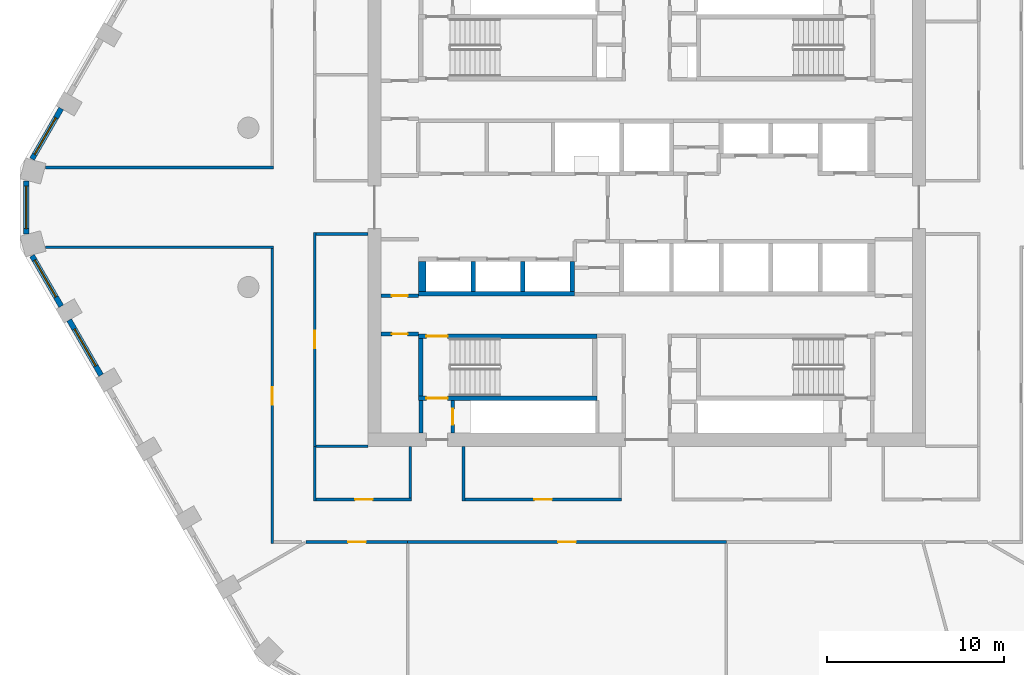
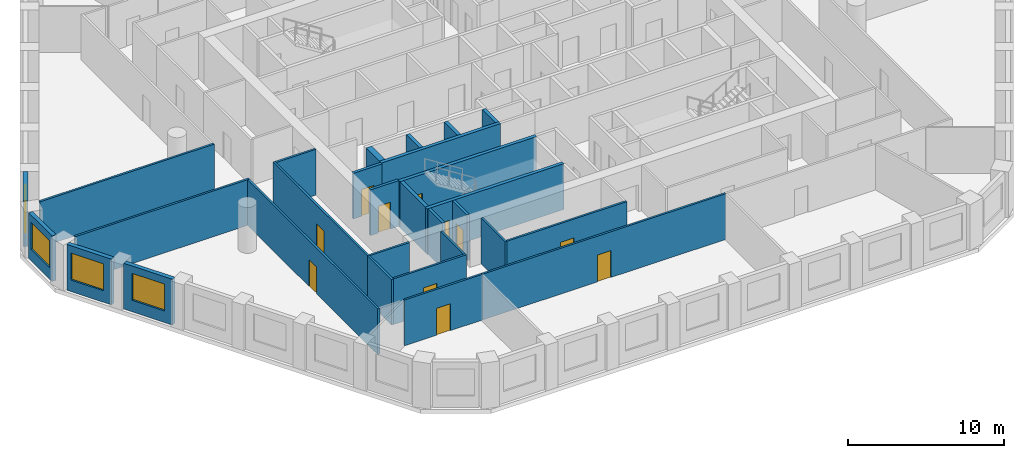
# One storey, part 2 of 10: 29 walls, 11 doors, 4 windows, 15 openings.
"""IFC4 building model written with IfcOpenShell, lengths in metres."""

from ifc_helpers import new_model, si_unit, direction, frame, frame_2d, origin, place, context, subcontext, project, spatial, polyline, rectangle, outline, extrude, material, layer, layer_set, type_object, element, fill, save


model = new_model("IFC4")

# Units and contexts
model_context = context("Model", 3, precision=1e-05, world=origin(), true_north=direction((0.0, 1.0)))
body_context = subcontext(model_context, "Body", "Model", "MODEL_VIEW")
ifc_project = project(units=[si_unit("LENGTHUNIT", "METRE"), si_unit("AREAUNIT", "SQUARE_METRE"), si_unit("VOLUMEUNIT", "CUBIC_METRE"), si_unit("PLANEANGLEUNIT", "RADIAN"), si_unit("MASSUNIT", "GRAM", prefix="KILO")], contexts=[model_context])

# Site, building, storey
site_placement = place(None, origin())
site = spatial("IfcSite", under=ifc_project, at=site_placement, CompositionType="ELEMENT")
building_placement = place(site_placement, origin())
building = spatial("IfcBuilding", under=site, at=building_placement, Name="Dhurran Vertical Campus", CompositionType="ELEMENT")
storey_placement = place(building_placement, frame((0.0, 0.0, 152.10009765625)))
storey = spatial("IfcBuildingStorey", under=building, at=storey_placement, Name="L37", CompositionType="ELEMENT", Elevation=152.10009765625)

# Wall, opening, window
ifc_material_1 = material(Name="Precast concrete C50/60", Category="concrete")
ifc_layer_1 = layer(ifc_material_1, 0.300048828125)
ifc_layer_set_1 = layer_set([ifc_layer_1], Name="Precast concrete C50/60")
wall_type_1 = type_object("IfcWallType", Name="Precast spandrel wall 300", PredefinedType="SOLIDWALL", material=ifc_layer_set_1)
wall_1_placement = place(storey_placement, frame((-33.0693359375, 5.58203125, 0.0), z_axis=(0.0, 0.0, 1.0), x_axis=(-0.499981217486, -0.866036247602, 0.0)))
wall_1 = element("IfcWall", 1, at=wall_1_placement, inside=storey, type_object=wall_type_1, Name="EW1 L37.37", PredefinedType="SOLIDWALL", context=body_context, shape_type="SweptSolid", body=[
    extrude(rectangle(XDim=3.294189453125, YDim=0.300048828125, at=frame_2d((1.64697265625, 0.0))), origin(), (0.0, 0.0, 1.0), 3.574951171875),
])
opening_1_placement = place(wall_1_placement, frame((0.599609375, 0.0, 0.89990234375)))
opening_1 = element("IfcOpeningElement", 2, at=opening_1_placement, cuts=wall_1, Name="Opening WT1", PredefinedType="OPENING", context=body_context, shape_type="SweptSolid", body=[
    extrude(rectangle(XDim=2.39990234375, YDim=2.10009765625, at=frame_2d((1.199951171875, 1.050048828125))), frame((0.0, 0.159912109375, 0.0), z_axis=(0.0, -1.0, 0.0), x_axis=(1.0, 0.0, 0.0)), (0.0, 0.0, 1.0), 0.320068359375),
])
ifc_material_2 = material(Name="Aluminium frame with solar-control glass", Category="aluminium")
window_type = type_object("IfcWindowType", Name="Punched window 2400 x 2100", PartitioningType="SINGLE_PANEL", PredefinedType="WINDOW", material=ifc_material_2)
window_1_placement = place(opening_1_placement, origin())
window_1 = element("IfcWindow", 3, at=window_1_placement, inside=storey, type_object=window_type, Name="WT1 L37.37", OverallHeight=2.10009765625, OverallWidth=2.39990234375, PartitioningType="SINGLE_PANEL", PredefinedType="WINDOW", context=body_context, shape_type="SweptSolid", body=[
    extrude(rectangle(XDim=2.39990234375, YDim=2.10009765625, at=frame_2d((1.199951171875, 1.050048828125))), frame((0.0, 0.030029296875, 0.0), z_axis=(0.0, -1.0, 0.0), x_axis=(1.0, 0.0, 0.0)), (0.0, 0.0, 1.0), 0.06005859375),
])
fill(opening_1, window_1)

wall_2_placement = place(storey_placement, frame((-35.047119140625, 1.49462890625, 0.0), z_axis=(0.0, 0.0, 1.0), x_axis=(0.0, -1.0, 0.0)))
wall_2 = element("IfcWall", 4, at=wall_2_placement, inside=storey, type_object=wall_type_1, Name="EW1 L37.38", PredefinedType="SOLIDWALL", context=body_context, shape_type="SweptSolid", body=[
    extrude(rectangle(XDim=2.9892578125, YDim=0.300048828125, at=frame_2d((1.49462890625, 0.0))), origin(), (0.0, 0.0, 1.0), 3.574951171875),
])
opening_2_placement = place(wall_2_placement, frame((0.294677734375, 0.0, 0.89990234375)))
opening_2 = element("IfcOpeningElement", 5, at=opening_2_placement, cuts=wall_2, Name="Opening WT1", PredefinedType="OPENING", context=body_context, shape_type="SweptSolid", body=[
    extrude(rectangle(XDim=2.39990234375, YDim=2.10009765625, at=frame_2d((1.199951171875, 1.050048828125))), frame((0.0, 0.159912109375, 0.0), z_axis=(0.0, -1.0, 0.0), x_axis=(1.0, 0.0, 0.0)), (0.0, 0.0, 1.0), 0.320068359375),
])
window_2_placement = place(opening_2_placement, origin())
window_2 = element("IfcWindow", 6, at=window_2_placement, inside=storey, type_object=window_type, Name="WT1 L37.38", OverallHeight=2.10009765625, OverallWidth=2.39990234375, PartitioningType="SINGLE_PANEL", PredefinedType="WINDOW", context=body_context, shape_type="SweptSolid", body=[
    extrude(rectangle(XDim=2.39990234375, YDim=2.10009765625, at=frame_2d((1.199951171875, 1.050048828125))), frame((0.0, 0.030029296875, 0.0), z_axis=(0.0, -1.0, 0.0), x_axis=(1.0, 0.0, 0.0)), (0.0, 0.0, 1.0), 0.06005859375),
])
fill(opening_2, window_2)

wall_3_placement = place(storey_placement, frame((-34.71630859375, -2.729248046875, 0.0), z_axis=(0.0, 0.0, 1.0), x_axis=(0.499981217486, -0.866036247602, 0.0)))
wall_3 = element("IfcWall", 7, at=wall_3_placement, inside=storey, type_object=wall_type_1, Name="EW1 L37.39", PredefinedType="SOLIDWALL", context=body_context, shape_type="SweptSolid", body=[
    extrude(rectangle(XDim=3.294189453125, YDim=0.300048828125, at=frame_2d((1.64697265625, 0.0))), origin(), (0.0, 0.0, 1.0), 3.574951171875),
])
opening_3_placement = place(wall_3_placement, frame((0.294677734375, 0.0, 0.89990234375)))
opening_3 = element("IfcOpeningElement", 8, at=opening_3_placement, cuts=wall_3, Name="Opening WT1", PredefinedType="OPENING", context=body_context, shape_type="SweptSolid", body=[
    extrude(rectangle(XDim=2.39990234375, YDim=2.10009765625, at=frame_2d((1.199951171875, 1.050048828125))), frame((0.0, 0.159912109375, 0.0), z_axis=(0.0, -1.0, 0.0), x_axis=(1.0, 0.0, 0.0)), (0.0, 0.0, 1.0), 0.320068359375),
])
window_3_placement = place(opening_3_placement, origin())
window_3 = element("IfcWindow", 9, at=window_3_placement, inside=storey, type_object=window_type, Name="WT1 L37.39", OverallHeight=2.10009765625, OverallWidth=2.39990234375, PartitioningType="SINGLE_PANEL", PredefinedType="WINDOW", context=body_context, shape_type="SweptSolid", body=[
    extrude(rectangle(XDim=2.39990234375, YDim=2.10009765625, at=frame_2d((1.199951171875, 1.050048828125))), frame((0.0, 0.030029296875, 0.0), z_axis=(0.0, -1.0, 0.0), x_axis=(1.0, 0.0, 0.0)), (0.0, 0.0, 1.0), 0.06005859375),
])
fill(opening_3, window_3)

wall_4_placement = place(storey_placement, frame((-32.618896484375, -6.3623046875, 0.0), z_axis=(0.0, 0.0, 1.0), x_axis=(0.500027802648, -0.866009351323, 0.0)))
wall_4 = element("IfcWall", 10, at=wall_4_placement, inside=storey, type_object=wall_type_1, Name="EW1 L37.40", PredefinedType="SOLIDWALL", context=body_context, shape_type="SweptSolid", body=[
    extrude(rectangle(XDim=3.598876953125, YDim=0.300048828125, at=frame_2d((1.79931640625, 0.0))), origin(), (0.0, 0.0, 1.0), 3.574951171875),
])
opening_4_placement = place(wall_4_placement, frame((0.599609375, 0.0, 0.89990234375)))
opening_4 = element("IfcOpeningElement", 11, at=opening_4_placement, cuts=wall_4, Name="Opening WT1", PredefinedType="OPENING", context=body_context, shape_type="SweptSolid", body=[
    extrude(rectangle(XDim=2.39990234375, YDim=2.10009765625, at=frame_2d((1.199951171875, 1.050048828125))), frame((0.0, 0.159912109375, 0.0), z_axis=(0.0, -1.0, 0.0), x_axis=(1.0, 0.0, 0.0)), (0.0, 0.0, 1.0), 0.320068359375),
])
window_4_placement = place(opening_4_placement, origin())
window_4 = element("IfcWindow", 12, at=window_4_placement, inside=storey, type_object=window_type, Name="WT1 L37.40", OverallHeight=2.10009765625, OverallWidth=2.39990234375, PartitioningType="SINGLE_PANEL", PredefinedType="WINDOW", context=body_context, shape_type="SweptSolid", body=[
    extrude(rectangle(XDim=2.39990234375, YDim=2.10009765625, at=frame_2d((1.199951171875, 1.050048828125))), frame((0.0, 0.030029296875, 0.0), z_axis=(0.0, -1.0, 0.0), x_axis=(1.0, 0.0, 0.0)), (0.0, 0.0, 1.0), 0.06005859375),
])
fill(opening_4, window_4)

# Wall
ifc_material_3 = material(Name="Fire-rated masonry blockwork", Category="masonry")
ifc_layer_2 = layer(ifc_material_3, 0.199951171875)
ifc_layer_set_2 = layer_set([ifc_layer_2], Name="Fire-rated masonry blockwork")
wall_type_2 = type_object("IfcWallType", Name="co-FIRE-PARTITION-200", PredefinedType="PARTITIONING", material=ifc_layer_set_2)
wall_5_placement = place(storey_placement, frame((-12.75, -12.75, 0.0), z_axis=(0.0, 0.0, 1.0), x_axis=(0.0, 1.0, 0.0)))
element("IfcWall", 13, at=wall_5_placement, inside=storey, type_object=wall_type_2, Name="Core partition pass-ST3-o L37", PredefinedType="PARTITIONING", context=body_context, shape_type="SweptSolid", body=[
    extrude(rectangle(XDim=1.85009765625, YDim=0.199951171875, at=frame_2d((0.925048828125, 0.0))), origin(), (0.0, 0.0, 1.0), 3.574951171875),
])

# Wall, opening, door
wall_6_placement = place(storey_placement, frame((-10.949951171875, -12.75, 0.0), z_axis=(0.0, 0.0, 1.0), x_axis=(0.0, 1.0, 0.0)))
wall_6 = element("IfcWall", 14, at=wall_6_placement, inside=storey, type_object=wall_type_2, Name="Core partition pass-ST3-i L37", PredefinedType="PARTITIONING", context=body_context, shape_type="SweptSolid", body=[
    extrude(rectangle(XDim=1.85009765625, YDim=0.199951171875, at=frame_2d((0.925048828125, 0.0))), origin(), (0.0, 0.0, 1.0), 3.574951171875),
])
opening_5_placement = place(wall_6_placement, frame((0.47509765625, 0.0, 0.0)))
opening_5 = element("IfcOpeningElement", 15, at=opening_5_placement, cuts=wall_6, Name="Opening T10-C13", PredefinedType="OPENING", context=body_context, shape_type="SweptSolid", body=[
    extrude(rectangle(XDim=0.89990234375, YDim=2.10009765625, at=frame_2d((0.449951171875, 1.050048828125))), frame((0.0, 0.10986328125, 0.0), z_axis=(0.0, -1.0, 0.0), x_axis=(1.0, 0.0, 0.0)), (0.0, 0.0, 1.0), 0.219970703125),
])
ifc_material_4 = material(Name="Fire-rated timber door set", Category="wood")
door_type_1 = type_object("IfcDoorType", Name="co-D-ROOM 900x2100", OperationType="SINGLE_SWING_LEFT", PredefinedType="DOOR", material=ifc_material_4)
door_1_placement = place(opening_5_placement, origin())
door_1 = element("IfcDoor", 16, at=door_1_placement, inside=storey, type_object=door_type_1, Name="Riser room door L37", OperationType="SINGLE_SWING_LEFT", OverallHeight=2.10009765625, OverallWidth=0.89990234375, PredefinedType="DOOR", context=body_context, shape_type="SweptSolid", body=[
    extrude(rectangle(XDim=0.89990234375, YDim=2.10009765625, at=frame_2d((0.449951171875, 1.050048828125))), frame((0.0, 0.02490234375, 0.0), z_axis=(0.0, -1.0, 0.0), x_axis=(1.0, 0.0, 0.0)), (0.0, 0.0, 1.0), 0.050048828125),
])
fill(opening_5, door_1)

wall_7_placement = place(storey_placement, frame((-15.0, -7.14990234375, 0.0), z_axis=(0.0, 0.0, 1.0), x_axis=(1.0, 0.0, 0.0)))
wall_7 = element("IfcWall", 17, at=wall_7_placement, inside=storey, type_object=wall_type_2, Name="Core partition en-SW-w L37", PredefinedType="PARTITIONING", context=body_context, shape_type="SweptSolid", body=[
    extrude(rectangle(XDim=2.10009765625, YDim=0.199951171875, at=frame_2d((1.050048828125, 0.0))), origin(), (0.0, 0.0, 1.0), 3.574951171875),
])
opening_6_placement = place(wall_7_placement, frame((0.60009765625, 0.0, 0.0)))
opening_6 = element("IfcOpeningElement", 18, at=opening_6_placement, cuts=wall_7, Name="Opening T10-C19", PredefinedType="OPENING", context=body_context, shape_type="SweptSolid", body=[
    extrude(rectangle(XDim=0.89990234375, YDim=2.10009765625, at=frame_2d((0.449951171875, 1.050048828125))), frame((0.0, 0.10986328125, 0.0), z_axis=(0.0, -1.0, 0.0), x_axis=(1.0, 0.0, 0.0)), (0.0, 0.0, 1.0), 0.219970703125),
])
door_2_placement = place(opening_6_placement, origin())
door_2 = element("IfcDoor", 19, at=door_2_placement, inside=storey, type_object=door_type_1, Name="Print room door L37", OperationType="SINGLE_SWING_LEFT", OverallHeight=2.10009765625, OverallWidth=0.89990234375, PredefinedType="DOOR", context=body_context, shape_type="SweptSolid", body=[
    extrude(rectangle(XDim=0.89990234375, YDim=2.10009765625, at=frame_2d((0.449951171875, 1.050048828125))), frame((0.0, 0.02490234375, 0.0), z_axis=(0.0, -1.0, 0.0), x_axis=(1.0, 0.0, 0.0)), (0.0, 0.0, 1.0), 0.050048828125),
])
fill(opening_6, door_2)

wall_8_placement = place(storey_placement, frame((-15.0, -5.0, 0.0), z_axis=(0.0, 0.0, 1.0), x_axis=(1.0, 0.0, 0.0)))
wall_8 = element("IfcWall", 20, at=wall_8_placement, inside=storey, type_object=wall_type_2, Name="Core partition es-SW-w L37", PredefinedType="PARTITIONING", context=body_context, shape_type="SweptSolid", body=[
    extrude(rectangle(XDim=2.10009765625, YDim=0.199951171875, at=frame_2d((1.050048828125, 0.0))), origin(), (0.0, 0.0, 1.0), 3.574951171875),
])
opening_7_placement = place(wall_8_placement, frame((0.60009765625, 0.0, 0.0)))
opening_7 = element("IfcOpeningElement", 21, at=opening_7_placement, cuts=wall_8, Name="Opening T10-C20", PredefinedType="OPENING", context=body_context, shape_type="SweptSolid", body=[
    extrude(rectangle(XDim=0.89990234375, YDim=2.10009765625, at=frame_2d((0.449951171875, 1.050048828125))), frame((0.0, 0.10986328125, 0.0), z_axis=(0.0, -1.0, 0.0), x_axis=(1.0, 0.0, 0.0)), (0.0, 0.0, 1.0), 0.219970703125),
])
door_3_placement = place(opening_7_placement, origin())
door_3 = element("IfcDoor", 22, at=door_3_placement, inside=storey, type_object=door_type_1, Name="Pantry door L37", OperationType="SINGLE_SWING_LEFT", OverallHeight=2.10009765625, OverallWidth=0.89990234375, PredefinedType="DOOR", context=body_context, shape_type="SweptSolid", body=[
    extrude(rectangle(XDim=0.89990234375, YDim=2.10009765625, at=frame_2d((0.449951171875, 1.050048828125))), frame((0.0, 0.02490234375, 0.0), z_axis=(0.0, -1.0, 0.0), x_axis=(1.0, 0.0, 0.0)), (0.0, 0.0, 1.0), 0.050048828125),
])
fill(opening_7, door_3)

# Walls
ifc_material_5 = material(Name="Concrete C50/60", Category="concrete")
ifc_layer_3 = layer(ifc_material_5, 0.25)
ifc_layer_set_3 = layer_set([ifc_layer_3], Name="Concrete C50/60")
wall_type_3 = type_object("IfcWallType", Name="co-SHAFT-MASS-250", PredefinedType="SHEAR", material=ifc_layer_set_3)
wall_9_placement = place(storey_placement, origin())
element("IfcWall", 23, at=wall_9_placement, inside=storey, type_object=wall_type_3, Name="Lift shaft wall S L37 1", PredefinedType="SHEAR", context=body_context, shape_type="SweptSolid", body=[
    extrude(outline(polyline([(-12.89990234375, -5.0), (-4.074951171875, -5.0), (-4.074951171875, -4.75), (-12.89990234375, -4.75), (-12.89990234375, -5.0)])), origin(), (0.0, 0.0, 1.0), 3.574951171875),
])
wall_10_placement = place(storey_placement, origin())
element("IfcWall", 24, at=wall_10_placement, inside=storey, type_object=wall_type_3, Name="Lift shaft wall S L37 3", PredefinedType="SHEAR", context=body_context, shape_type="SweptSolid", body=[
    extrude(outline(polyline([(-12.89990234375, -4.75), (-12.47509765625, -4.75), (-12.47509765625, -3.050048828125), (-12.89990234375, -3.050048828125), (-12.89990234375, -4.75)])), origin(), (0.0, 0.0, 1.0), 3.574951171875),
])
wall_11_placement = place(storey_placement, origin())
element("IfcWall", 25, at=wall_11_placement, inside=storey, type_object=wall_type_3, Name="Lift shaft wall S L37 4", PredefinedType="SHEAR", context=body_context, shape_type="SweptSolid", body=[
    extrude(outline(polyline([(-9.925048828125, -4.75), (-9.675048828125, -4.75), (-9.675048828125, -3.050048828125), (-9.925048828125, -3.050048828125), (-9.925048828125, -4.75)])), origin(), (0.0, 0.0, 1.0), 3.574951171875),
])
wall_12_placement = place(storey_placement, origin())
element("IfcWall", 26, at=wall_12_placement, inside=storey, type_object=wall_type_3, Name="Lift shaft wall S L37 5", PredefinedType="SHEAR", context=body_context, shape_type="SweptSolid", body=[
    extrude(outline(polyline([(-7.125, -4.75), (-6.875, -4.75), (-6.875, -3.050048828125), (-7.125, -3.050048828125), (-7.125, -4.75)])), origin(), (0.0, 0.0, 1.0), 3.574951171875),
])
wall_13_placement = place(storey_placement, origin())
element("IfcWall", 27, at=wall_13_placement, inside=storey, type_object=wall_type_3, Name="Lift shaft wall S L37 6", PredefinedType="SHEAR", context=body_context, shape_type="SweptSolid", body=[
    extrude(outline(polyline([(-4.324951171875, -4.75), (-4.074951171875, -4.75), (-4.074951171875, -3.050048828125), (-4.324951171875, -3.050048828125), (-4.324951171875, -4.75)])), origin(), (0.0, 0.0, 1.0), 3.574951171875),
])

# Wall, opening, door
ifc_material_6 = material(Name="Concrete C40/50", Category="concrete")
ifc_layer_4 = layer(ifc_material_6, 0.25)
ifc_layer_set_4 = layer_set([ifc_layer_4], Name="Concrete C40/50")
wall_type_4 = type_object("IfcWallType", Name="co-STAIR-WALL-250", PredefinedType="SHEAR", material=ifc_layer_set_4)
wall_14_placement = place(storey_placement, frame((-12.89990234375, -10.77490234375, 0.0), z_axis=(0.0, 0.0, 1.0), x_axis=(1.0, 0.0, 0.0)))
wall_14 = element("IfcWall", 28, at=wall_14_placement, inside=storey, type_object=wall_type_4, Name="Stair ST3 enclosure wall L37", PredefinedType="SHEAR", context=body_context, shape_type="SweptSolid", body=[
    extrude(rectangle(XDim=10.099853515625, YDim=0.25, at=frame_2d((5.0498046875, 0.0))), origin(), (0.0, 0.0, 1.0), 3.574951171875),
])
opening_8_placement = place(wall_14_placement, frame((0.449951171875, 0.0, 0.0)))
opening_8 = element("IfcOpeningElement", 29, at=opening_8_placement, cuts=wall_14, Name="Opening XS3", PredefinedType="OPENING", context=body_context, shape_type="SweptSolid", body=[
    extrude(rectangle(XDim=1.199951171875, YDim=2.10009765625, at=frame_2d((0.60009765625, 1.050048828125))), frame((0.0, 0.135009765625, 0.0), z_axis=(0.0, -1.0, 0.0), x_axis=(1.0, 0.0, 0.0)), (0.0, 0.0, 1.0), 0.27001953125),
])
ifc_material_7 = material(Name="Fire-rated steel door set", Category="steel")
door_type_2 = type_object("IfcDoorType", Name="co-D-STAIR-EXIT 1200x2100", OperationType="SINGLE_SWING_RIGHT", PredefinedType="DOOR", material=ifc_material_7)
door_4_placement = place(opening_8_placement, origin())
door_4 = element("IfcDoor", 30, at=door_4_placement, inside=storey, type_object=door_type_2, Name="Stair ST3 discharge door L37", OperationType="SINGLE_SWING_RIGHT", OverallHeight=2.10009765625, OverallWidth=1.199951171875, PredefinedType="DOOR", context=body_context, shape_type="SweptSolid", body=[
    extrude(rectangle(XDim=1.199951171875, YDim=2.10009765625, at=frame_2d((0.60009765625, 1.050048828125))), frame((0.0, 0.02490234375, 0.0), z_axis=(0.0, -1.0, 0.0), x_axis=(1.0, 0.0, 0.0)), (0.0, 0.0, 1.0), 0.050048828125),
])
fill(opening_8, door_4)

wall_15_placement = place(storey_placement, frame((-12.89990234375, -7.27490234375, 0.0), z_axis=(0.0, 0.0, 1.0), x_axis=(1.0, 0.0, 0.0)))
wall_15 = element("IfcWall", 31, at=wall_15_placement, inside=storey, type_object=wall_type_4, Name="Stair ST3 enclosure wall L37", PredefinedType="SHEAR", context=body_context, shape_type="SweptSolid", body=[
    extrude(rectangle(XDim=10.099853515625, YDim=0.25, at=frame_2d((5.0498046875, 0.0))), origin(), (0.0, 0.0, 1.0), 3.574951171875),
])
opening_9_placement = place(wall_15_placement, frame((0.449951171875, 0.0, 0.0)))
opening_9 = element("IfcOpeningElement", 32, at=opening_9_placement, cuts=wall_15, Name="Opening SD3", PredefinedType="OPENING", context=body_context, shape_type="SweptSolid", body=[
    extrude(rectangle(XDim=1.199951171875, YDim=2.10009765625, at=frame_2d((0.60009765625, 1.050048828125))), frame((0.0, 0.135009765625, 0.0), z_axis=(0.0, -1.0, 0.0), x_axis=(1.0, 0.0, 0.0)), (0.0, 0.0, 1.0), 0.27001953125),
])
ifc_material_8 = material(Name="Fire-rated steel door set", Category="steel")
door_type_3 = type_object("IfcDoorType", Name="co-D-STAIR 1200x2100", OperationType="SINGLE_SWING_LEFT", PredefinedType="DOOR", material=ifc_material_8)
door_5_placement = place(opening_9_placement, origin())
door_5 = element("IfcDoor", 33, at=door_5_placement, inside=storey, type_object=door_type_3, Name="Stair ST3 door L37", OperationType="SINGLE_SWING_LEFT", OverallHeight=2.10009765625, OverallWidth=1.199951171875, PredefinedType="DOOR", context=body_context, shape_type="SweptSolid", body=[
    extrude(rectangle(XDim=1.199951171875, YDim=2.10009765625, at=frame_2d((0.60009765625, 1.050048828125))), frame((0.0, 0.02490234375, 0.0), z_axis=(0.0, -1.0, 0.0), x_axis=(1.0, 0.0, 0.0)), (0.0, 0.0, 1.0), 0.050048828125),
])
fill(opening_9, door_5)

# Walls
wall_16_placement = place(storey_placement, frame((-12.77490234375, -10.64990234375, 0.0), z_axis=(0.0, 0.0, 1.0), x_axis=(0.0, 1.0, 0.0)))
element("IfcWall", 34, at=wall_16_placement, inside=storey, type_object=wall_type_4, Name="Stair ST3 enclosure wall L37", PredefinedType="SHEAR", context=body_context, shape_type="SweptSolid", body=[
    extrude(rectangle(XDim=3.25, YDim=0.25, at=frame_2d((1.625, 0.0))), origin(), (0.0, 0.0, 1.0), 3.574951171875),
])
ifc_material_9 = material(Name="Gypsum board corridor wall on steel studs", Category="steel")
ifc_layer_5 = layer(ifc_material_9, 0.14990234375)
ifc_layer_set_5 = layer_set([ifc_layer_5], Name="Gypsum board corridor wall on steel studs")
wall_type_5 = type_object("IfcWallType", Name="fl-CW-150 corridor wall", PredefinedType="PARTITIONING", material=ifc_layer_set_5)
for number, where, z_axis, x_axis, name in (
    (35, (-21.074951171875, -2.25, 0.0), (0.0, 0.0, 1.0), (-1.0, 0.0, 0.0), "Partition 37-01"),
    (36, (-33.9677734375, 2.25, 0.0), (0.0, 0.0, 1.0), (1.0, 0.0, 0.0), "Partition 37-02"),
):
    element("IfcWall", number, at=place(storey_placement, frame(where, z_axis=z_axis, x_axis=x_axis)), inside=storey, type_object=wall_type_5, Name=name, PredefinedType="PARTITIONING", context=body_context, shape_type="SweptSolid", body=[
        extrude(rectangle(XDim=12.892822265625, YDim=0.14990234375, at=frame_2d((6.4462890625, 0.0))), origin(), (0.0, 0.0, 1.0), 3.574951171875),
    ])

# Wall, opening, door
wall_17_placement = place(storey_placement, frame((-21.14990234375, -2.324951171875, 0.0), z_axis=(0.0, 0.0, 1.0), x_axis=(0.0, -1.0, 0.0)))
wall_17 = element("IfcWall", 37, at=wall_17_placement, inside=storey, type_object=wall_type_5, Name="Partition 37-05", PredefinedType="PARTITIONING", context=body_context, shape_type="SweptSolid", body=[
    extrude(rectangle(XDim=16.650146484375, YDim=0.14990234375, at=frame_2d((8.3251953125, 0.0))), origin(), (0.0, 0.0, 1.0), 3.574951171875),
])
opening_10_placement = place(wall_17_placement, frame((7.824951171875, 0.0, 0.0)))
opening_10 = element("IfcOpeningElement", 38, at=opening_10_placement, cuts=wall_17, Name="Opening T10.01", PredefinedType="OPENING", context=body_context, shape_type="SweptSolid", body=[
    extrude(rectangle(XDim=1.0, YDim=2.10009765625, at=frame_2d((0.5, 1.050048828125))), frame((0.0, 0.0849609375, 0.0), z_axis=(0.0, -1.0, 0.0), x_axis=(1.0, 0.0, 0.0)), (0.0, 0.0, 1.0), 0.169921875),
])
ifc_material_10 = material(Name="Solid-core timber door set, fire-rated", Category="wood")
door_type_4 = type_object("IfcDoorType", Name="fl-D-1000x2100", OperationType="SINGLE_SWING_LEFT", PredefinedType="DOOR", material=ifc_material_10)
door_6_placement = place(opening_10_placement, origin())
door_6 = element("IfcDoor", 39, at=door_6_placement, inside=storey, type_object=door_type_4, Name="Door 37.01", OperationType="SINGLE_SWING_RIGHT", OverallHeight=2.10009765625, OverallWidth=1.0, PredefinedType="DOOR", context=body_context, shape_type="SweptSolid", body=[
    extrude(rectangle(XDim=1.0, YDim=2.10009765625, at=frame_2d((0.5, 1.050048828125))), frame((0.0, 0.02490234375, 0.0), z_axis=(0.0, -1.0, 0.0), x_axis=(1.0, 0.0, 0.0)), (0.0, 0.0, 1.0), 0.050048828125),
])
fill(opening_10, door_6)

wall_18_placement = place(storey_placement, frame((-19.236083984375, -18.89990234375, 0.0), z_axis=(0.0, 0.0, 1.0), x_axis=(1.0, 0.0, 0.0)))
wall_18 = element("IfcWall", 40, at=wall_18_placement, inside=storey, type_object=wall_type_5, Name="Partition 37-09", PredefinedType="PARTITIONING", context=body_context, shape_type="SweptSolid", body=[
    extrude(rectangle(XDim=5.736083984375, YDim=0.14990234375, at=frame_2d((2.8681640625, 0.0))), origin(), (0.0, 0.0, 1.0), 3.574951171875),
])
opening_11_placement = place(wall_18_placement, frame((2.367919921875, 0.0, 0.0)))
opening_11 = element("IfcOpeningElement", 41, at=opening_11_placement, cuts=wall_18, Name="Opening T10.04", PredefinedType="OPENING", context=body_context, shape_type="SweptSolid", body=[
    extrude(rectangle(XDim=1.0, YDim=2.10009765625, at=frame_2d((0.5, 1.050048828125))), frame((0.0, 0.0849609375, 0.0), z_axis=(0.0, -1.0, 0.0), x_axis=(1.0, 0.0, 0.0)), (0.0, 0.0, 1.0), 0.169921875),
])
door_7_placement = place(opening_11_placement, origin())
door_7 = element("IfcDoor", 42, at=door_7_placement, inside=storey, type_object=door_type_4, Name="Door 37.04", OperationType="SINGLE_SWING_RIGHT", OverallHeight=2.10009765625, OverallWidth=1.0, PredefinedType="DOOR", context=body_context, shape_type="SweptSolid", body=[
    extrude(rectangle(XDim=1.0, YDim=2.10009765625, at=frame_2d((0.5, 1.050048828125))), frame((0.0, 0.02490234375, 0.0), z_axis=(0.0, -1.0, 0.0), x_axis=(1.0, 0.0, 0.0)), (0.0, 0.0, 1.0), 0.050048828125),
])
fill(opening_11, door_7)

# Wall
wall_19_placement = place(storey_placement, frame((-18.75, -16.574951171875, 0.0), z_axis=(0.0, 0.0, 1.0), x_axis=(0.0, 1.0, 0.0)))
element("IfcWall", 43, at=wall_19_placement, inside=storey, type_object=wall_type_5, Name="Partition 37-11", PredefinedType="PARTITIONING", context=body_context, shape_type="SweptSolid", body=[
    extrude(rectangle(XDim=3.074951171875, YDim=0.14990234375, at=frame_2d((1.53759765625, 0.0))), origin(), (0.0, 0.0, 1.0), 3.574951171875),
])

# Wall, opening, door
wall_20_placement = place(storey_placement, frame((-13.27490234375, -16.5, 0.0), z_axis=(0.0, 0.0, 1.0), x_axis=(-1.0, 0.0, 0.0)))
wall_20 = element("IfcWall", 44, at=wall_20_placement, inside=storey, type_object=wall_type_5, Name="Partition 37-12", PredefinedType="PARTITIONING", context=body_context, shape_type="SweptSolid", body=[
    extrude(rectangle(XDim=5.400146484375, YDim=0.14990234375, at=frame_2d((2.7001953125, 0.0))), origin(), (0.0, 0.0, 1.0), 3.574951171875),
])
opening_12_placement = place(wall_20_placement, frame((2.199951171875, 0.0, 0.0)))
opening_12 = element("IfcOpeningElement", 45, at=opening_12_placement, cuts=wall_20, Name="Opening T10.08", PredefinedType="OPENING", context=body_context, shape_type="SweptSolid", body=[
    extrude(rectangle(XDim=1.0, YDim=2.10009765625, at=frame_2d((0.5, 1.050048828125))), frame((0.0, 0.0849609375, 0.0), z_axis=(0.0, -1.0, 0.0), x_axis=(1.0, 0.0, 0.0)), (0.0, 0.0, 1.0), 0.169921875),
])
door_8_placement = place(opening_12_placement, origin())
door_8 = element("IfcDoor", 46, at=door_8_placement, inside=storey, type_object=door_type_4, Name="Door 37.08", OperationType="SINGLE_SWING_RIGHT", OverallHeight=2.10009765625, OverallWidth=1.0, PredefinedType="DOOR", context=body_context, shape_type="SweptSolid", body=[
    extrude(rectangle(XDim=1.0, YDim=2.10009765625, at=frame_2d((0.5, 1.050048828125))), frame((0.0, 0.02490234375, 0.0), z_axis=(0.0, -1.0, 0.0), x_axis=(1.0, 0.0, 0.0)), (0.0, 0.0, 1.0), 0.050048828125),
])
fill(opening_12, door_8)

wall_21_placement = place(storey_placement, frame((-18.75, -13.5, 0.0), z_axis=(0.0, 0.0, 1.0), x_axis=(0.0, 1.0, 0.0)))
wall_21 = element("IfcWall", 47, at=wall_21_placement, inside=storey, type_object=wall_type_5, Name="Partition 37-13", PredefinedType="PARTITIONING", context=body_context, shape_type="SweptSolid", body=[
    extrude(rectangle(XDim=12.074951171875, YDim=0.14990234375, at=frame_2d((6.03759765625, 0.0))), origin(), (0.0, 0.0, 1.0), 3.574951171875),
])
opening_13_placement = place(wall_21_placement, frame((5.53759765625, 0.0, 0.0)))
opening_13 = element("IfcOpeningElement", 48, at=opening_13_placement, cuts=wall_21, Name="Opening T10.05", PredefinedType="OPENING", context=body_context, shape_type="SweptSolid", body=[
    extrude(rectangle(XDim=1.0, YDim=2.10009765625, at=frame_2d((0.5, 1.050048828125))), frame((0.0, 0.0849609375, 0.0), z_axis=(0.0, -1.0, 0.0), x_axis=(1.0, 0.0, 0.0)), (0.0, 0.0, 1.0), 0.169921875),
])
door_9_placement = place(opening_13_placement, origin())
door_9 = element("IfcDoor", 49, at=door_9_placement, inside=storey, type_object=door_type_4, Name="Door 37.05", OperationType="SINGLE_SWING_LEFT", OverallHeight=2.10009765625, OverallWidth=1.0, PredefinedType="DOOR", context=body_context, shape_type="SweptSolid", body=[
    extrude(rectangle(XDim=1.0, YDim=2.10009765625, at=frame_2d((0.5, 1.050048828125))), frame((0.0, 0.02490234375, 0.0), z_axis=(0.0, -1.0, 0.0), x_axis=(1.0, 0.0, 0.0)), (0.0, 0.0, 1.0), 0.050048828125),
])
fill(opening_13, door_9)

# Wall
wall_22_placement = place(storey_placement, frame((-18.675048828125, -1.5, 0.0), z_axis=(0.0, 0.0, 1.0), x_axis=(1.0, 0.0, 0.0)))
element("IfcWall", 50, at=wall_22_placement, inside=storey, type_object=wall_type_5, Name="Partition 37-15", PredefinedType="PARTITIONING", context=body_context, shape_type="SweptSolid", body=[
    extrude(rectangle(XDim=2.925048828125, YDim=0.14990234375, at=frame_2d((1.46240234375, 0.0))), origin(), (0.0, 0.0, 1.0), 3.574951171875),
])

# Wall, opening, door
wall_23_placement = place(storey_placement, frame((-13.5, -18.89990234375, 0.0), z_axis=(0.0, 0.0, 1.0), x_axis=(1.0, 0.0, 0.0)))
wall_23 = element("IfcWall", 51, at=wall_23_placement, inside=storey, type_object=wall_type_5, Name="Partition 37-26", PredefinedType="PARTITIONING", context=body_context, shape_type="SweptSolid", body=[
    extrude(rectangle(XDim=18.0, YDim=0.14990234375, at=frame_2d((9.0, 0.0))), origin(), (0.0, 0.0, 1.0), 3.574951171875),
])
opening_14_placement = place(wall_23_placement, frame((8.5, 0.0, 0.0)))
opening_14 = element("IfcOpeningElement", 52, at=opening_14_placement, cuts=wall_23, Name="Opening T10.13", PredefinedType="OPENING", context=body_context, shape_type="SweptSolid", body=[
    extrude(rectangle(XDim=1.0, YDim=2.10009765625, at=frame_2d((0.5, 1.050048828125))), frame((0.0, 0.0849609375, 0.0), z_axis=(0.0, -1.0, 0.0), x_axis=(1.0, 0.0, 0.0)), (0.0, 0.0, 1.0), 0.169921875),
])
door_10_placement = place(opening_14_placement, origin())
door_10 = element("IfcDoor", 53, at=door_10_placement, inside=storey, type_object=door_type_4, Name="Door 37.13", OperationType="SINGLE_SWING_RIGHT", OverallHeight=2.10009765625, OverallWidth=1.0, PredefinedType="DOOR", context=body_context, shape_type="SweptSolid", body=[
    extrude(rectangle(XDim=1.0, YDim=2.10009765625, at=frame_2d((0.5, 1.050048828125))), frame((0.0, 0.02490234375, 0.0), z_axis=(0.0, -1.0, 0.0), x_axis=(1.0, 0.0, 0.0)), (0.0, 0.0, 1.0), 0.050048828125),
])
fill(opening_14, door_10)

# Walls
wall_24_placement = place(storey_placement, frame((-13.35009765625, -13.5, 0.0), z_axis=(0.0, 0.0, 1.0), x_axis=(0.0, -1.0, 0.0)))
element("IfcWall", 54, at=wall_24_placement, inside=storey, type_object=wall_type_5, Name="Partition 37-27", PredefinedType="PARTITIONING", context=body_context, shape_type="SweptSolid", body=[
    extrude(rectangle(XDim=2.925048828125, YDim=0.14990234375, at=frame_2d((1.46240234375, 0.0))), origin(), (0.0, 0.0, 1.0), 3.574951171875),
])
wall_25_placement = place(storey_placement, frame((-10.35009765625, -16.574951171875, 0.0), z_axis=(0.0, 0.0, 1.0), x_axis=(0.0, 1.0, 0.0)))
element("IfcWall", 55, at=wall_25_placement, inside=storey, type_object=wall_type_5, Name="Partition 37-29", PredefinedType="PARTITIONING", context=body_context, shape_type="SweptSolid", body=[
    extrude(rectangle(XDim=3.074951171875, YDim=0.14990234375, at=frame_2d((1.53759765625, 0.0))), origin(), (0.0, 0.0, 1.0), 3.574951171875),
])

# Wall, opening, door
wall_26_placement = place(storey_placement, frame((-1.425048828125, -16.5, 0.0), z_axis=(0.0, 0.0, 1.0), x_axis=(-1.0, 0.0, 0.0)))
wall_26 = element("IfcWall", 56, at=wall_26_placement, inside=storey, type_object=wall_type_5, Name="Partition 37-30", PredefinedType="PARTITIONING", context=body_context, shape_type="SweptSolid", body=[
    extrude(rectangle(XDim=8.849853515625, YDim=0.14990234375, at=frame_2d((4.4248046875, 0.0))), origin(), (0.0, 0.0, 1.0), 3.574951171875),
])
opening_15_placement = place(wall_26_placement, frame((3.925048828125, 0.0, 0.0)))
opening_15 = element("IfcOpeningElement", 57, at=opening_15_placement, cuts=wall_26, Name="Opening T10.11", PredefinedType="OPENING", context=body_context, shape_type="SweptSolid", body=[
    extrude(rectangle(XDim=1.0, YDim=2.10009765625, at=frame_2d((0.5, 1.050048828125))), frame((0.0, 0.0849609375, 0.0), z_axis=(0.0, -1.0, 0.0), x_axis=(1.0, 0.0, 0.0)), (0.0, 0.0, 1.0), 0.169921875),
])
door_11_placement = place(opening_15_placement, origin())
door_11 = element("IfcDoor", 58, at=door_11_placement, inside=storey, type_object=door_type_4, Name="Door 37.11", OperationType="SINGLE_SWING_RIGHT", OverallHeight=2.10009765625, OverallWidth=1.0, PredefinedType="DOOR", context=body_context, shape_type="SweptSolid", body=[
    extrude(rectangle(XDim=1.0, YDim=2.10009765625, at=frame_2d((0.5, 1.050048828125))), frame((0.0, 0.02490234375, 0.0), z_axis=(0.0, -1.0, 0.0), x_axis=(1.0, 0.0, 0.0)), (0.0, 0.0, 1.0), 0.050048828125),
])
fill(opening_15, door_11)

# Wall
ifc_material_11 = material(Name="Gypsum board partition on steel studs", Category="steel")
ifc_layer_6 = layer(ifc_material_11, 0.14990234375)
ifc_layer_set_6 = layer_set([ifc_layer_6], Name="Gypsum board partition on steel studs")
wall_type_6 = type_object("IfcWallType", Name="fl-PW-150 fixed partition", PredefinedType="PARTITIONING", material=ifc_layer_set_6)
wall_27_placement = place(storey_placement, frame((-15.75, -13.5, 0.0), z_axis=(0.0, 0.0, 1.0), x_axis=(-1.0, 0.0, 0.0)))
element("IfcWall", 59, at=wall_27_placement, inside=storey, type_object=wall_type_6, Name="Partition 37-14", PredefinedType="PARTITIONING", context=body_context, shape_type="SweptSolid", body=[
    extrude(rectangle(XDim=2.925048828125, YDim=0.14990234375, at=frame_2d((1.46240234375, 0.0))), origin(), (0.0, 0.0, 1.0), 3.574951171875),
])

save(model, "model.ifc")
